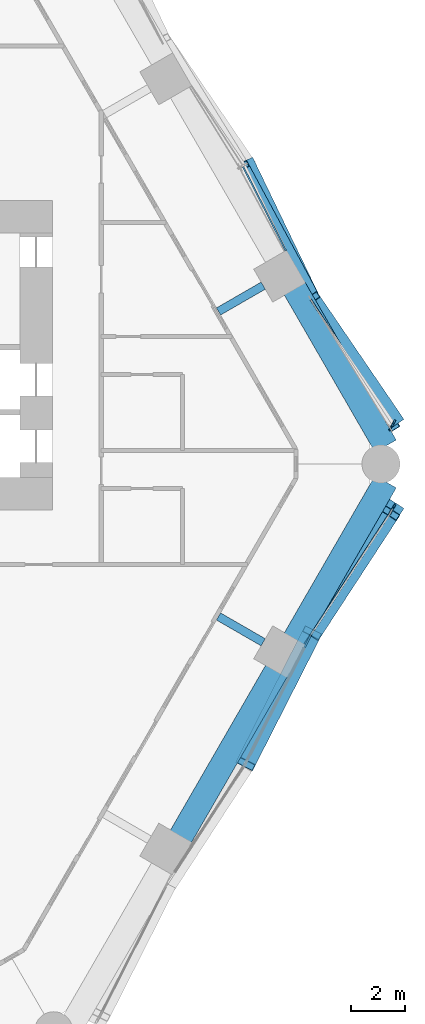
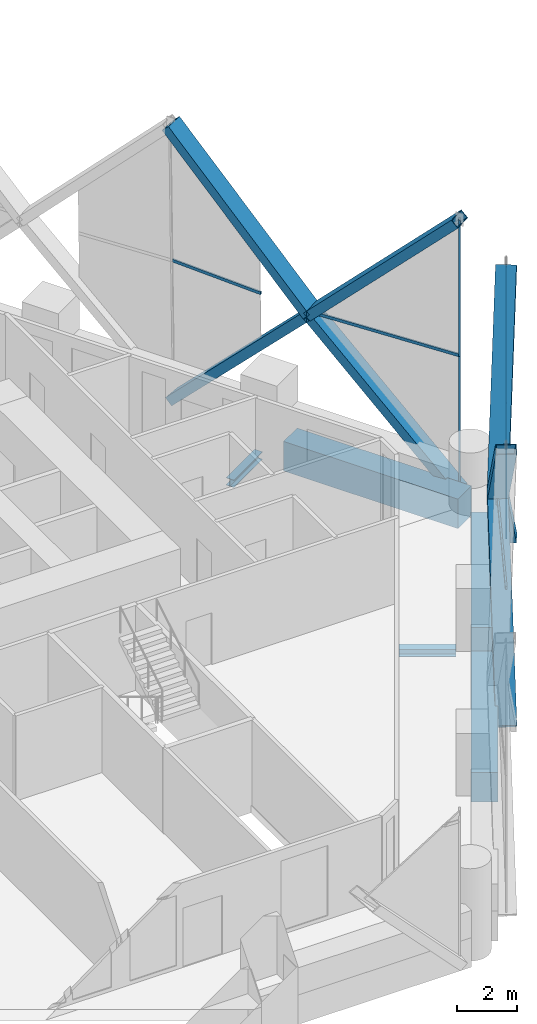
# One storey, part 7 of 22: 16 members, 5 beams, 4 elements without a shape of their own.
"""IFC4 building model written with IfcOpenShell, lengths in metres."""

from ifc_helpers import new_model, si_unit, direction, frame, origin, origin_2d, place, context, subcontext, project, spatial, rectangle, hollow_rectangle, i_section, extrude, material, material_profile, profile_set, type_object, element, aggregate, save


model = new_model("IFC4")

# Units and contexts
model_context = context("Model", 3, precision=1e-05, world=origin(), true_north=direction((0.0, 1.0)))
body_context = subcontext(model_context, "Body", "Model", "MODEL_VIEW")
ifc_project = project(units=[si_unit("LENGTHUNIT", "METRE"), si_unit("AREAUNIT", "SQUARE_METRE"), si_unit("VOLUMEUNIT", "CUBIC_METRE"), si_unit("PLANEANGLEUNIT", "RADIAN"), si_unit("MASSUNIT", "GRAM", prefix="KILO")], contexts=[model_context])

# Site, building, storey
site_placement = place(None, origin())
site = spatial("IfcSite", under=ifc_project, at=site_placement, CompositionType="ELEMENT")
building_placement = place(site_placement, origin())
building = spatial("IfcBuilding", under=site, at=building_placement, Name="Ostrander Bayou Hotel Tower", CompositionType="ELEMENT")
storey_placement = place(building_placement, frame((0.0, 0.0, 35.5)))
storey = spatial("IfcBuildingStorey", under=building, at=storey_placement, Name="L08", CompositionType="ELEMENT", Elevation=35.5)

# Curtain wall, members
ifc_material_1 = material(Name="Aluminium and clear glass", Category="aluminium")
curtain_wall_type = type_object("IfcCurtainWallType", Name="CW-LAT lattice glazing", PredefinedType="NOTDEFINED", material=ifc_material_1)
curtain_wall_1_placement = place(storey_placement, origin())
curtain_wall_1 = element("IfcCurtainWall", 1, at=curtain_wall_1_placement, inside=storey, type_object=curtain_wall_type, Name="CW-LAT L08 SE 1", PredefinedType="NOTDEFINED")
ifc_material_2 = material(Name="Aluminium", Category="aluminium")
ifc_material_profile_1 = material_profile(ifc_material_2, hollow_rectangle(XDim=0.06005859375, YDim=0.159912109375, WallThickness=0.00390625, at=origin_2d()))
ifc_profile_set_1 = profile_set([ifc_material_profile_1], Name="Aluminium")
member_type_1 = type_object("IfcMemberType", Name="CW-LA mullion 60 x 160 mm", PredefinedType="MULLION", material=ifc_profile_set_1)
member_1_placement = place(storey_placement, frame((24.58837890625, -1.551513671875, -0.60009765625), z_axis=(-0.012582810856, -0.021824668484, 0.999682627996), x_axis=(0.866328918095, -0.499473928922, 0.0)))
member_1 = element("IfcMember", 2, at=member_1_placement, type_object=member_type_1, Name="CW-LAT mullion 8", PredefinedType="MULLION", context=body_context, shape_type="SweptSolid", body=[
    extrude(hollow_rectangle(XDim=0.06005859375, YDim=0.159912109375, WallThickness=0.00390625, at=origin_2d()), origin(), (0.0, 0.0, 1.0), 5.626708984375),
])
member_2_placement = place(storey_placement, frame((24.517578125, -1.67431640625, 5.02490234375), z_axis=(-0.012582810856, -0.021824668484, 0.999682627996), x_axis=(0.866328918095, -0.499473928922, 0.0)))
member_2 = element("IfcMember", 3, at=member_2_placement, type_object=member_type_1, Name="CW-LAT mullion 9", PredefinedType="MULLION", context=body_context, shape_type="SweptSolid", body=[
    extrude(hollow_rectangle(XDim=0.06005859375, YDim=0.159912109375, WallThickness=0.00390625, at=origin_2d()), origin(), (0.0, 0.0, 1.0), 5.626708984375),
])
aggregate(curtain_wall_1, [member_1, member_2])

curtain_wall_2_placement = place(storey_placement, origin())
curtain_wall_2 = element("IfcCurtainWall", 4, at=curtain_wall_2_placement, inside=storey, type_object=curtain_wall_type, Name="CW-LAT L08 NE 1", PredefinedType="NOTDEFINED")
member_3_placement = place(storey_placement, frame((24.58837890625, 1.551513671875, -0.60009765625), z_axis=(-0.012582810856, -0.021824668484, 0.999682627996), x_axis=(0.866328918095, -0.499473928922, 0.0)))
member_3 = element("IfcMember", 5, at=member_3_placement, type_object=member_type_1, Name="CW-LAT mullion 1", PredefinedType="MULLION", context=body_context, shape_type="SweptSolid", body=[
    extrude(hollow_rectangle(XDim=0.06005859375, YDim=0.159912109375, WallThickness=0.00390625, at=origin_2d()), origin(), (0.0, 0.0, 1.0), 5.626708984375),
])
member_4_placement = place(storey_placement, frame((24.517578125, 1.4287109375, 5.02490234375), z_axis=(-0.012582810856, -0.021824668484, 0.999682627996), x_axis=(0.866328918095, -0.499473928922, 0.0)))
member_4 = element("IfcMember", 6, at=member_4_placement, type_object=member_type_1, Name="CW-LAT mullion 2", PredefinedType="MULLION", context=body_context, shape_type="SweptSolid", body=[
    extrude(hollow_rectangle(XDim=0.06005859375, YDim=0.159912109375, WallThickness=0.00390625, at=origin_2d()), origin(), (0.0, 0.0, 1.0), 5.626708984375),
])
aggregate(curtain_wall_2, [member_3, member_4])

curtain_wall_3_placement = place(storey_placement, origin())
curtain_wall_3 = element("IfcCurtainWall", 7, at=curtain_wall_3_placement, inside=storey, type_object=curtain_wall_type, Name="CW-LAT L08 SE 2", PredefinedType="NOTDEFINED")
ifc_material_3 = material(Name="Aluminium", Category="aluminium")
ifc_material_profile_2 = material_profile(ifc_material_3, hollow_rectangle(XDim=0.06005859375, YDim=0.1201171875, WallThickness=0.00390625, at=origin_2d()))
ifc_profile_set_2 = profile_set([ifc_material_profile_2], Name="Aluminium")
member_type_2 = type_object("IfcMemberType", Name="CW-LA transom 60 x 120 mm", PredefinedType="USERDEFINED", material=ifc_profile_set_2)
member_5_placement = place(storey_placement, frame((19.11328125, -11.034912109375, 5.02490234375), z_axis=(0.453374253569, 0.891320248957, 0.0), x_axis=(-0.891320248957, 0.453374253569, 0.0)))
member_5 = element("IfcMember", 8, at=member_5_placement, type_object=member_type_2, Name="CW-LAT transom 7", ObjectType="TRANSOM", PredefinedType="USERDEFINED", context=body_context, shape_type="SweptSolid", body=[
    extrude(hollow_rectangle(XDim=0.06005859375, YDim=0.1201171875, WallThickness=0.00390625, at=origin_2d()), origin(), (0.0, 0.0, 1.0), 5.411865234375),
])
member_6_placement = place(storey_placement, frame((24.517578125, -1.67431640625, 5.02490234375), z_axis=(-0.545236127639, -0.838282509133, 0.0), x_axis=(0.838282509133, -0.545236127639, 0.0)))
member_6 = element("IfcMember", 9, at=member_6_placement, type_object=member_type_2, Name="CW-LAT transom 10", ObjectType="TRANSOM", PredefinedType="USERDEFINED", context=body_context, shape_type="SweptSolid", body=[
    extrude(hollow_rectangle(XDim=0.06005859375, YDim=0.1201171875, WallThickness=0.00390625, at=origin_2d()), origin(), (0.0, 0.0, 1.0), 5.921875),
])
aggregate(curtain_wall_3, [member_5, member_6])

curtain_wall_4_placement = place(storey_placement, origin())
curtain_wall_4 = element("IfcCurtainWall", 10, at=curtain_wall_4_placement, inside=storey, type_object=curtain_wall_type, Name="CW-LAT L08 NE 2", PredefinedType="NOTDEFINED")
member_7_placement = place(storey_placement, frame((24.517578125, 1.4287109375, 5.02490234375), z_axis=(-0.544366154591, 0.838847715462, 0.0), x_axis=(-0.838847715462, -0.544366154591, 0.0)))
member_7 = element("IfcMember", 11, at=member_7_placement, type_object=member_type_2, Name="CW-LAT transom 3", ObjectType="TRANSOM", PredefinedType="USERDEFINED", context=body_context, shape_type="SweptSolid", body=[
    extrude(hollow_rectangle(XDim=0.06005859375, YDim=0.1201171875, WallThickness=0.00390625, at=origin_2d()), origin(), (0.0, 0.0, 1.0), 5.51806640625),
])
member_8_placement = place(storey_placement, frame((19.0068359375, 10.9736328125, 5.02490234375), z_axis=(0.454286227969, -0.890855781301, 0.0), x_axis=(0.890855781301, 0.454286227969, 0.0)))
member_8 = element("IfcMember", 12, at=member_8_placement, type_object=member_type_2, Name="CW-LAT transom 6", ObjectType="TRANSOM", PredefinedType="USERDEFINED", context=body_context, shape_type="SweptSolid", body=[
    extrude(hollow_rectangle(XDim=0.06005859375, YDim=0.1201171875, WallThickness=0.00390625, at=origin_2d()), origin(), (0.0, 0.0, 1.0), 3.500244140625),
])
aggregate(curtain_wall_4, [member_7, member_8])

# Beams
ifc_material_4 = material(Name="Steel ASTM A992", Category="steel")
ifc_material_profile_3 = material_profile(ifc_material_4, i_section(OverallWidth=0.3046875, OverallDepth=0.307861328125, WebThickness=0.010009765625, FlangeThickness=0.015380859375, at=origin_2d()))
ifc_profile_set_3 = profile_set([ifc_material_profile_3], Name="Steel ASTM A992")
beam_type_1 = type_object("IfcBeamType", Name="LB1 loggia bracket W12x65", PredefinedType="BEAM", material=ifc_profile_set_3)
for number, where, z_axis, x_axis, name in (
    (13, (19.7646484375, -6.566650390625, -0.453857421875), (-0.866044365799, 0.499967155389, 0.0), (-0.499967155389, -0.866044365799, 0.0), "LB1 L08 SE2"),
    (14, (19.7646484375, 6.566650390625, -0.453857421875), (-0.866044365799, -0.499967155389, 0.0), (0.499967155389, -0.866044365799, 0.0), "LB1 L08 NE1"),
):
    element("IfcBeam", number, at=place(storey_placement, frame(where, z_axis=z_axis, x_axis=x_axis)), inside=storey, type_object=beam_type_1, Name=name, PredefinedType="BEAM", context=body_context, shape_type="SweptSolid", body=[
        extrude(i_section(OverallWidth=0.3046875, OverallDepth=0.307861328125, WebThickness=0.010009765625, FlangeThickness=0.015380859375, at=origin_2d()), origin(), (0.0, 0.0, 1.0), 1.900146484375),
    ])

# Members
ifc_material_5 = material(Name="Steel ASTM A572 Gr 50", Category="steel")
ifc_material_profile_4 = material_profile(ifc_material_5, hollow_rectangle(XDim=0.699951171875, YDim=0.35009765625, WallThickness=0.02490234375, at=origin_2d()))
ifc_profile_set_4 = profile_set([ifc_material_profile_4], Name="Steel ASTM A572 Gr 50")
member_type_3 = type_object("IfcMemberType", Name="LT1 lattice member box 700 x 350 x 25 mm", PredefinedType="BRACE", material=ifc_profile_set_4)
for number, where, z_axis, x_axis, name in (
    (15, (21.56689453125, -6.211181640625, 5.02490234375), (-0.314335411267, -0.617974035405, -0.720625659263), (0.891320248957, -0.453374253569, 0.0), "LT1 L08 SE 5"),
    (16, (21.56689453125, -6.211181640625, 5.02490234375), (-0.314335411267, -0.617974035405, 0.720625659263), (0.891320248957, -0.453374253569, 0.0), "LT1 L08 SE 6"),
):
    element("IfcMember", number, at=place(storey_placement, frame(where, z_axis=z_axis, x_axis=x_axis)), inside=storey, type_object=member_type_3, Name=name, PredefinedType="BRACE", context=body_context, shape_type="SweptSolid", body=[
        extrude(hollow_rectangle(XDim=0.699951171875, YDim=0.35009765625, WallThickness=0.02490234375, at=origin_2d()), origin(), (0.0, 0.0, 1.0), 7.8056640625),
    ])
member_9_placement = place(storey_placement, frame((21.56689453125, -6.211181640625, 5.02490234375), z_axis=(0.382244424421, 0.589489098619, -0.711612115277), x_axis=(-0.839043730101, 0.544063984268, 0.0)))
element("IfcMember", 17, at=member_9_placement, inside=storey, type_object=member_type_3, Name="LT1 L08 SE 7", PredefinedType="BRACE", context=body_context, shape_type="SweptSolid", body=[
    extrude(hollow_rectangle(XDim=0.699951171875, YDim=0.35009765625, WallThickness=0.02490234375, at=origin_2d()), origin(), (0.0, 0.0, 1.0), 7.904541015625),
])
member_10_placement = place(storey_placement, frame((21.56689453125, -6.211181640625, 5.02490234375), z_axis=(0.373606749057, 0.572635641145, 0.729730374556), x_axis=(-0.83751105711, 0.546420377748, 0.0)))
element("IfcMember", 18, at=member_10_placement, inside=storey, type_object=member_type_3, Name="LT1 L08 SE 8", PredefinedType="BRACE", context=body_context, shape_type="SweptSolid", body=[
    extrude(hollow_rectangle(XDim=0.699951171875, YDim=0.35009765625, WallThickness=0.02490234375, at=origin_2d()), origin(), (0.0, 0.0, 1.0), 7.708251953125),
])
member_11_placement = place(storey_placement, frame((21.513671875, 6.0576171875, 5.02490234375), z_axis=(0.392393329971, -0.575067785554, -0.717861070551), x_axis=(0.826025612555, 0.563632581921, 0.0)))
element("IfcMember", 19, at=member_11_placement, inside=storey, type_object=member_type_3, Name="LT1 L08 NE 1", PredefinedType="BRACE", context=body_context, shape_type="SweptSolid", body=[
    extrude(hollow_rectangle(XDim=0.699951171875, YDim=0.35009765625, WallThickness=0.02490234375, at=origin_2d()), origin(), (0.0, 0.0, 1.0), 7.835693359375),
])
member_12_placement = place(storey_placement, frame((21.513671875, 6.0576171875, 5.02490234375), z_axis=(0.370058319688, -0.599504334617, 0.709684009123), x_axis=(0.850939970261, 0.525262950352, 0.0)))
element("IfcMember", 20, at=member_12_placement, inside=storey, type_object=member_type_3, Name="LT1 L08 NE 2", PredefinedType="BRACE", context=body_context, shape_type="SweptSolid", body=[
    extrude(hollow_rectangle(XDim=0.699951171875, YDim=0.35009765625, WallThickness=0.02490234375, at=origin_2d()), origin(), (0.0, 0.0, 1.0), 7.926025390625),
])
member_13_placement = place(storey_placement, frame((21.513671875, 6.0576171875, 5.02490234375), z_axis=(-0.304418229008, 0.631221972618, -0.713364116796), x_axis=(-0.900724541123, -0.434390723909, 0.0)))
element("IfcMember", 21, at=member_13_placement, inside=storey, type_object=member_type_3, Name="LT1 L08 NE 3", PredefinedType="BRACE", context=body_context, shape_type="SweptSolid", body=[
    extrude(hollow_rectangle(XDim=0.699951171875, YDim=0.35009765625, WallThickness=0.02490234375, at=origin_2d()), origin(), (0.0, 0.0, 1.0), 7.88525390625),
])
member_14_placement = place(storey_placement, frame((21.513671875, 6.0576171875, 5.02490234375), z_axis=(-0.331756926435, 0.616367979274, 0.714162345611), x_axis=(-0.880550714137, -0.473951938316, 0.0)))
element("IfcMember", 22, at=member_14_placement, inside=storey, type_object=member_type_3, Name="LT1 L08 NE 4", PredefinedType="BRACE", context=body_context, shape_type="SweptSolid", body=[
    extrude(hollow_rectangle(XDim=0.699951171875, YDim=0.35009765625, WallThickness=0.02490234375, at=origin_2d()), origin(), (0.0, 0.0, 1.0), 7.87646484375),
])

# Beams
ifc_material_6 = material(Name="Concrete f'c 70 MPa", Category="concrete")
ifc_material_profile_5 = material_profile(ifc_material_6, rectangle(XDim=0.89990234375, YDim=1.199951171875, at=origin_2d()))
ifc_profile_set_5 = profile_set([ifc_material_profile_5], Name="Concrete f'c 70 MPa")
beam_type_2 = type_object("IfcBeamType", Name="SP1 spandrel beam 900 x 1200 mm f'c 70 MPa", PredefinedType="SPANDREL", material=ifc_profile_set_5)
beam_placement = place(storey_placement, frame((16.726806640625, -13.72802734375, -0.60009765625), z_axis=(0.499997206141, 0.866027016814, 0.0), x_axis=(-0.866027016814, 0.499997206141, 0.0)))
element("IfcBeam", 23, at=beam_placement, inside=storey, type_object=beam_type_2, Name="SP1 L08 SE-2", PredefinedType="SPANDREL", context=body_context, shape_type="SweptSolid", body=[
    extrude(rectangle(XDim=0.89990234375, YDim=1.199951171875, at=origin_2d()), origin(), (0.0, 0.0, 1.0), 7.05078125),
])
for number, where, z_axis, x_axis, name in (
    (24, (20.92236328125, -6.46142578125, -0.60009765625), (0.500005133765, 0.866022439784, 0.0), (-0.866022439784, 0.500005133765, 0.0), "SP1 L08 SE-3"),
    (25, (24.274169921875, 0.656005859375, -0.60009765625), (-0.500005133765, 0.866022439784, 0.0), (-0.866022439784, -0.500005133765, 0.0), "SP1 L08 NE-1"),
):
    element("IfcBeam", number, at=place(storey_placement, frame(where, z_axis=z_axis, x_axis=x_axis)), inside=storey, type_object=beam_type_2, Name=name, PredefinedType="SPANDREL", context=body_context, shape_type="SweptSolid", body=[
        extrude(rectangle(XDim=0.89990234375, YDim=1.199951171875, at=origin_2d()), origin(), (0.0, 0.0, 1.0), 6.70361328125),
    ])

save(model, "model.ifc")
